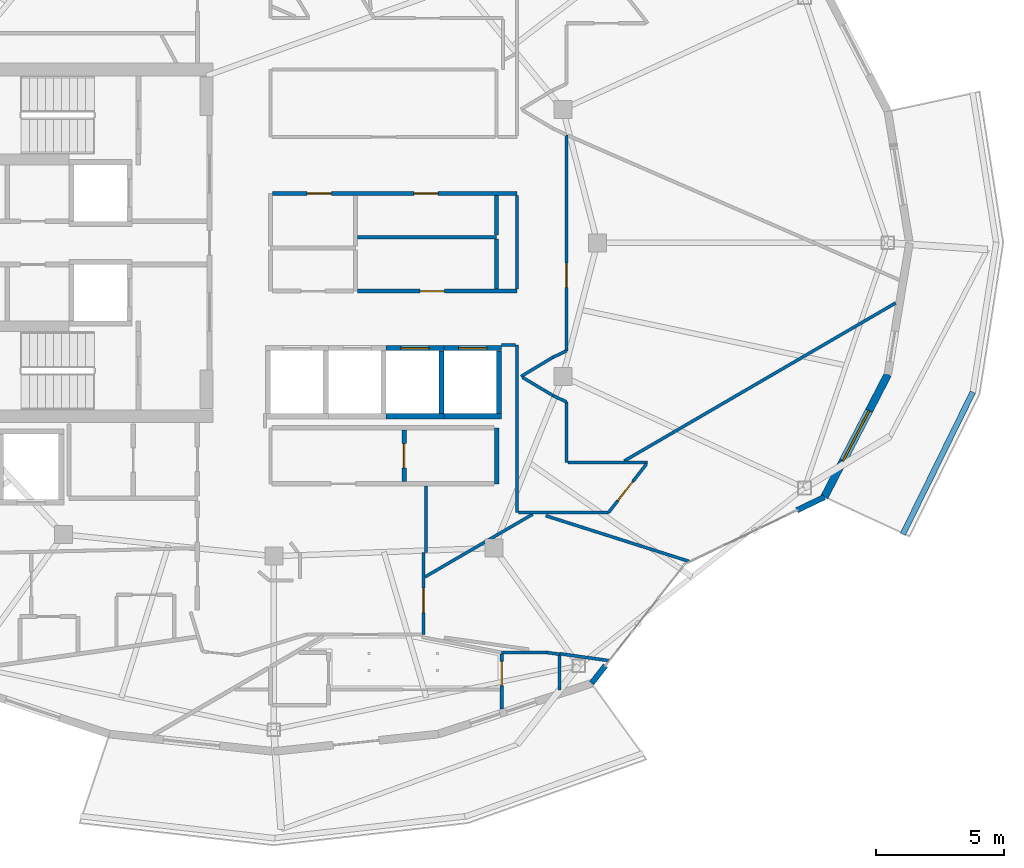
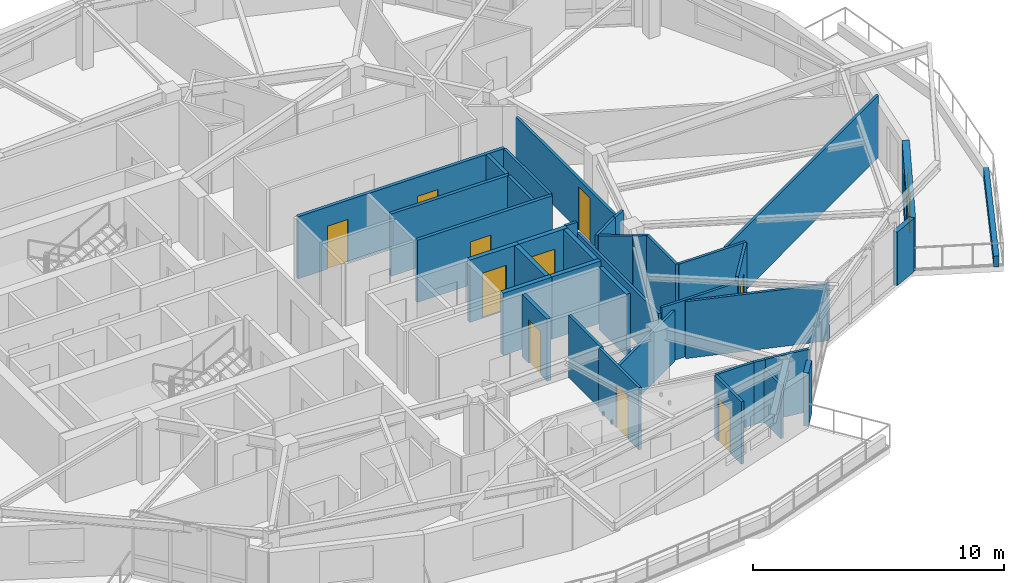
# One storey, part 11 of 21: 39 walls, 10 doors, 1 window, 11 openings.
"""IFC4 building model written with IfcOpenShell, lengths in metres."""

from ifc_helpers import new_model, si_unit, direction, frame, frame_2d, origin, place, context, subcontext, project, spatial, rectangle, extrude, material, layer, layer_set, type_object, element, fill, save


model = new_model("IFC4")

# Units and contexts
model_context = context("Model", 3, precision=1e-05, world=origin(), true_north=direction((0.0, 1.0)))
body_context = subcontext(model_context, "Body", "Model", "MODEL_VIEW")
ifc_project = project(units=[si_unit("LENGTHUNIT", "METRE"), si_unit("AREAUNIT", "SQUARE_METRE"), si_unit("VOLUMEUNIT", "CUBIC_METRE"), si_unit("PLANEANGLEUNIT", "RADIAN"), si_unit("MASSUNIT", "GRAM", prefix="KILO")], contexts=[model_context])

# Site, building, storey
site_placement = place(None, origin())
site = spatial("IfcSite", under=ifc_project, at=site_placement, CompositionType="ELEMENT")
building_placement = place(site_placement, origin())
building = spatial("IfcBuilding", under=site, at=building_placement, Name="Kolvaren Gate Tower and Convention Centre", CompositionType="ELEMENT")
storey_placement = place(building_placement, frame((0.0, 0.0, 226.10009765625)))
storey = spatial("IfcBuildingStorey", under=building, at=storey_placement, Name="L60", CompositionType="ELEMENT", Elevation=226.10009765625)

# Wall
ifc_material_1 = material(Name="Autoclaved Aerated Masonry Blockwork Class 4 (4.0 MPa)", Category="masonry")
ifc_layer_1 = layer(ifc_material_1, 0.179931640625)
ifc_layer_set_1 = layer_set([ifc_layer_1], Name="Autoclaved Aerated Masonry Blockwork Class 4 (4.0 MPa)")
wall_type_1 = type_object("IfcWallType", Name="ARCH-WL-COMP-180", PredefinedType="SOLIDWALL", material=ifc_layer_set_1)
wall_1_placement = place(storey_placement, frame((38.800048828125, 17.6201171875, 0.0), z_axis=(0.0, 0.0, 1.0), x_axis=(0.0, 1.0, 0.0)))
element("IfcWall", 1, at=wall_1_placement, inside=storey, type_object=wall_type_1, Name="Interior Partition WL-L60-INT-026", PredefinedType="SOLIDWALL", context=body_context, shape_type="SweptSolid", body=[
    extrude(rectangle(XDim=2.179931640625, YDim=0.179931640625, at=frame_2d((1.08984375, 0.0))), origin(), (0.0, 0.0, 1.0), 3.02978515625),
])

# Wall, opening, door
wall_2_placement = place(storey_placement, frame((35.199951171875, 17.7119140625, 0.0), z_axis=(0.0, 0.0, 1.0), x_axis=(0.0, 1.0, 0.0)))
wall_2 = element("IfcWall", 2, at=wall_2_placement, inside=storey, type_object=wall_type_1, Name="Interior Partition WL-L60-INT-033", PredefinedType="SOLIDWALL", context=body_context, shape_type="SweptSolid", body=[
    extrude(rectangle(XDim=1.99609375, YDim=0.179931640625, at=frame_2d((0.998046875, 0.0))), origin(), (0.0, 0.0, 1.0), 3.02978515625),
])
opening_1_placement = place(wall_2_placement, frame((0.52294921875, 0.0, 0.0)))
opening_1 = element("IfcOpeningElement", 3, at=opening_1_placement, cuts=wall_2, Name="Opening DR-01", PredefinedType="OPENING", context=body_context, shape_type="SweptSolid", body=[
    extrude(rectangle(XDim=0.949951171875, YDim=2.10009765625, at=frame_2d((0.47509765625, 1.050048828125))), frame((0.0, 0.099853515625, 0.0), z_axis=(0.0, -1.0, 0.0), x_axis=(1.0, 0.0, 0.0)), (0.0, 0.0, 1.0), 0.199951171875),
])
ifc_material_2 = material(Name="Painted Architectural Steelwork ASTM A500 Grade C 345 MPa", Category="steel")
door_type_1 = type_object("IfcDoorType", Name="ARCH-DR-RISER-950", OperationType="SINGLE_SWING_RIGHT", PredefinedType="DOOR", material=ifc_material_2)
door_1_placement = place(opening_1_placement, origin())
door_1 = element("IfcDoor", 4, at=door_1_placement, inside=storey, type_object=door_type_1, Name="Smart-Metering Room Door", OperationType="SINGLE_SWING_RIGHT", OverallHeight=2.10009765625, OverallWidth=0.949951171875, PredefinedType="DOOR", context=body_context, shape_type="SweptSolid", body=[
    extrude(rectangle(XDim=0.949951171875, YDim=2.10009765625, at=frame_2d((0.47509765625, 1.050048828125))), frame((0.0, 0.02490234375, 0.0), z_axis=(0.0, -1.0, 0.0), x_axis=(1.0, 0.0, 0.0)), (0.0, 0.0, 1.0), 0.050048828125),
])
fill(opening_1, door_1)

# Walls
ifc_material_3 = material(Name="Fire-Rated Acoustic Gypsum Stud Partition", Category="gypsum")
ifc_layer_2 = layer(ifc_material_3, 0.1201171875)
ifc_layer_set_2 = layer_set([ifc_layer_2], Name="Fire-Rated Acoustic Gypsum Stud Partition")
wall_type_2 = type_object("IfcWallType", Name="ARCH-WL-PART-120", PredefinedType="PARTITIONING", material=ifc_layer_set_2)
wall_3_placement = place(storey_placement, frame((39.60009765625, 16.5, 0.0), z_axis=(0.0, 0.0, 1.0), x_axis=(0.0, 1.0, 0.0)))
element("IfcWall", 5, at=wall_3_placement, inside=storey, type_object=wall_type_2, Name="Interior Partition WL-L60-INT-044", PredefinedType="PARTITIONING", context=body_context, shape_type="SweptSolid", body=[
    extrude(rectangle(XDim=6.52001953125, YDim=0.1201171875, at=frame_2d((3.260009765625, 0.0))), origin(), (0.0, 0.0, 1.0), 2.477783203125),
])
wall_4_placement = place(storey_placement, frame((39.60009765625, 25.197021484375, 0.0), z_axis=(0.0, 0.0, 1.0), x_axis=(0.0, 1.0, 0.0)))
element("IfcWall", 6, at=wall_4_placement, inside=storey, type_object=wall_type_2, Name="Interior Partition WL-L60-INT-045", PredefinedType="PARTITIONING", context=body_context, shape_type="SweptSolid", body=[
    extrude(rectangle(XDim=3.64599609375, YDim=0.1201171875, at=frame_2d((1.822998046875, 0.0))), origin(), (0.0, 0.0, 1.0), 3.02978515625),
])
wall_5_placement = place(storey_placement, frame((41.52001953125, 18.449951171875, 0.0), z_axis=(0.0, 0.0, 1.0), x_axis=(0.0, 1.0, 0.0)))
element("IfcWall", 7, at=wall_5_placement, inside=storey, type_object=wall_type_2, Name="Interior Partition WL-L60-INT-050", PredefinedType="PARTITIONING", context=body_context, shape_type="SweptSolid", body=[
    extrude(rectangle(XDim=2.35693359375, YDim=0.1201171875, at=frame_2d((1.178466796875, 0.0))), origin(), (0.0, 0.0, 1.0), 3.02978515625),
])

# Wall, opening, door
wall_6_placement = place(storey_placement, frame((41.52001953125, 22.7939453125, 0.0), z_axis=(0.0, 0.0, 1.0), x_axis=(0.0, 1.0, 0.0)))
wall_6 = element("IfcWall", 8, at=wall_6_placement, inside=storey, type_object=wall_type_2, Name="Interior Partition WL-L60-INT-051", PredefinedType="PARTITIONING", context=body_context, shape_type="SweptSolid", body=[
    extrude(rectangle(XDim=8.4130859375, YDim=0.1201171875, at=frame_2d((4.20654296875, 0.0))), origin(), (0.0, 0.0, 1.0), 2.477783203125),
])
opening_2_placement = place(wall_6_placement, frame((2.471435546875, 0.0, 0.0)))
opening_2 = element("IfcOpeningElement", 9, at=opening_2_placement, cuts=wall_6, Name="Opening DR-01", PredefinedType="OPENING", context=body_context, shape_type="SweptSolid", body=[
    extrude(rectangle(XDim=0.949951171875, YDim=2.10009765625, at=frame_2d((0.47509765625, 1.050048828125))), frame((0.0, 0.070068359375, 0.0), z_axis=(0.0, -1.0, 0.0), x_axis=(1.0, 0.0, 0.0)), (0.0, 0.0, 1.0), 0.14013671875),
])
door_2_placement = place(opening_2_placement, origin())
door_2 = element("IfcDoor", 10, at=door_2_placement, inside=storey, type_object=door_type_1, Name="Resident Quiet Study Office Door", OperationType="SINGLE_SWING_LEFT", OverallHeight=2.10009765625, OverallWidth=0.949951171875, PredefinedType="DOOR", context=body_context, shape_type="SweptSolid", body=[
    extrude(rectangle(XDim=0.949951171875, YDim=2.10009765625, at=frame_2d((0.47509765625, 1.050048828125))), frame((0.0, 0.02490234375, 0.0), z_axis=(0.0, -1.0, 0.0), x_axis=(1.0, 0.0, 0.0)), (0.0, 0.0, 1.0), 0.050048828125),
])
fill(opening_2, door_2)

# Walls
wall_7_placement = place(storey_placement, frame((40.986083984375, 22.541015625, 0.0), z_axis=(0.0, 0.0, 1.0), x_axis=(0.903729424576, 0.428104107847, 0.0)))
element("IfcWall", 11, at=wall_7_placement, inside=storey, type_object=wall_type_2, Name="Interior Partition WL-L60-INT-057", PredefinedType="PARTITIONING", context=body_context, shape_type="SweptSolid", body=[
    extrude(rectangle(XDim=0.5908203125, YDim=0.1201171875, at=frame_2d((0.29541015625, 0.0))), origin(), (0.0, 0.0, 1.0), 3.02978515625),
])
wall_8_placement = place(storey_placement, frame((39.75, 21.800048828125, 0.0), z_axis=(0.0, 0.0, 1.0), x_axis=(0.857702120906, 0.514146935996, 0.0)))
element("IfcWall", 12, at=wall_8_placement, inside=storey, type_object=wall_type_2, Name="Interior Partition WL-L60-INT-058", PredefinedType="PARTITIONING", context=body_context, shape_type="SweptSolid", body=[
    extrude(rectangle(XDim=1.441162109375, YDim=0.1201171875, at=frame_2d((0.720703125, 0.0))), origin(), (0.0, 0.0, 1.0), 3.02978515625),
])
wall_9_placement = place(storey_placement, frame((39.810302734375, 21.763916015625, 0.0), z_axis=(0.0, 0.0, 1.0), x_axis=(0.858011245414, -0.513630901273, 0.0)))
element("IfcWall", 13, at=wall_9_placement, inside=storey, type_object=wall_type_2, Name="Interior Partition WL-L60-INT-059", PredefinedType="PARTITIONING", context=body_context, shape_type="SweptSolid", body=[
    extrude(rectangle(XDim=1.370361328125, YDim=0.1201171875, at=frame_2d((0.68505859375, 0.0))), origin(), (0.0, 0.0, 1.0), 3.02978515625),
])
wall_10_placement = place(storey_placement, frame((40.986083984375, 21.06005859375, 0.0), z_axis=(0.0, 0.0, 1.0), x_axis=(0.90356951601, -0.428441512621, 0.0)))
element("IfcWall", 14, at=wall_10_placement, inside=storey, type_object=wall_type_2, Name="Interior Partition WL-L60-INT-060", PredefinedType="PARTITIONING", context=body_context, shape_type="SweptSolid", body=[
    extrude(rectangle(XDim=0.5908203125, YDim=0.1201171875, at=frame_2d((0.29541015625, 0.0))), origin(), (0.0, 0.0, 1.0), 3.02978515625),
])
wall_11_placement = place(storey_placement, frame((41.58203125, 18.449951171875, 0.0), z_axis=(0.0, 0.0, 1.0), x_axis=(1.0, 0.0, 0.0)))
element("IfcWall", 15, at=wall_11_placement, inside=storey, type_object=wall_type_2, Name="Interior Partition WL-L60-INT-061", PredefinedType="PARTITIONING", context=body_context, shape_type="SweptSolid", body=[
    extrude(rectangle(XDim=3.10205078125, YDim=0.1201171875, at=frame_2d((1.551025390625, 0.0))), origin(), (0.0, 0.0, 1.0), 3.02978515625),
])

# Wall, opening, door
wall_12_placement = place(storey_placement, frame((43.156982421875, 16.5, 0.0), z_axis=(0.0, 0.0, 1.0), x_axis=(0.616566276607, 0.787303008092, 0.0)))
wall_12 = element("IfcWall", 16, at=wall_12_placement, inside=storey, type_object=wall_type_2, Name="Interior Partition WL-L60-INT-062", PredefinedType="PARTITIONING", context=body_context, shape_type="SweptSolid", body=[
    extrude(rectangle(XDim=2.39794921875, YDim=0.1201171875, at=frame_2d((1.198974609375, 0.0))), origin(), (0.0, 0.0, 1.0), 3.02978515625),
])
opening_3_placement = place(wall_12_placement, frame((0.583984375, 0.0, 0.0)))
opening_3 = element("IfcOpeningElement", 17, at=opening_3_placement, cuts=wall_12, Name="Opening DR-01", PredefinedType="OPENING", context=body_context, shape_type="SweptSolid", body=[
    extrude(rectangle(XDim=0.949951171875, YDim=2.10009765625, at=frame_2d((0.47509765625, 1.050048828125))), frame((0.0, 0.070068359375, 0.0), z_axis=(0.0, -1.0, 0.0), x_axis=(1.0, 0.0, 0.0)), (0.0, 0.0, 1.0), 0.14013671875),
])
door_3_placement = place(opening_3_placement, origin())
door_3 = element("IfcDoor", 18, at=door_3_placement, inside=storey, type_object=door_type_1, Name="Resident Private Study Door", OperationType="SINGLE_SWING_RIGHT", OverallHeight=2.10009765625, OverallWidth=0.949951171875, PredefinedType="DOOR", context=body_context, shape_type="SweptSolid", body=[
    extrude(rectangle(XDim=0.949951171875, YDim=2.10009765625, at=frame_2d((0.47509765625, 1.050048828125))), frame((0.0, 0.02490234375, 0.0), z_axis=(0.0, -1.0, 0.0), x_axis=(1.0, 0.0, 0.0)), (0.0, 0.0, 1.0), 0.050048828125),
])
fill(opening_3, door_3)

# Walls
wall_13_placement = place(storey_placement, frame((39.662109375, 16.5, 0.0), z_axis=(0.0, 0.0, 1.0), x_axis=(1.0, 0.0, 0.0)))
element("IfcWall", 19, at=wall_13_placement, inside=storey, type_object=wall_type_2, Name="Interior Partition WL-L60-INT-063", PredefinedType="PARTITIONING", context=body_context, shape_type="SweptSolid", body=[
    extrude(rectangle(XDim=3.494873046875, YDim=0.1201171875, at=frame_2d((1.74755859375, 0.0))), origin(), (0.0, 0.0, 1.0), 2.77001953125),
])
wall_14_placement = place(storey_placement, frame((39.0, 23.02001953125, 0.0), z_axis=(0.0, 0.0, 1.0), x_axis=(1.0, 0.0, 0.0)))
element("IfcWall", 20, at=wall_14_placement, inside=storey, type_object=wall_type_2, Name="Interior Partition WL-L60-INT-064", PredefinedType="PARTITIONING", context=body_context, shape_type="SweptSolid", body=[
    extrude(rectangle(XDim=0.5380859375, YDim=0.1201171875, at=frame_2d((0.26904296875, 0.0))), origin(), (0.0, 0.0, 1.0), 3.02978515625),
])
wall_15_placement = place(storey_placement, frame((36.050048828125, 14.949951171875, 0.0), z_axis=(0.0, 0.0, 1.0), x_axis=(0.0, 1.0, 0.0)))
element("IfcWall", 21, at=wall_15_placement, inside=storey, type_object=wall_type_2, Name="Interior Partition WL-L60-INT-066", PredefinedType="PARTITIONING", context=body_context, shape_type="SweptSolid", body=[
    extrude(rectangle(XDim=2.578125, YDim=0.1201171875, at=frame_2d((1.2890625, 0.0))), origin(), (0.0, 0.0, 1.0), 3.02978515625),
])

# Wall, opening, door
wall_16_placement = place(storey_placement, frame((35.949951171875, 11.75, 0.0), z_axis=(0.0, 0.0, 1.0), x_axis=(0.0, 1.0, 0.0)))
wall_16 = element("IfcWall", 22, at=wall_16_placement, inside=storey, type_object=wall_type_2, Name="Interior Partition WL-L60-INT-067", PredefinedType="PARTITIONING", context=body_context, shape_type="SweptSolid", body=[
    extrude(rectangle(XDim=3.199951171875, YDim=0.1201171875, at=frame_2d((1.60009765625, 0.0))), origin(), (0.0, 0.0, 1.0), 3.02978515625),
])
opening_4_placement = place(wall_16_placement, frame((0.852783203125, 0.0, 0.0)))
opening_4 = element("IfcOpeningElement", 23, at=opening_4_placement, cuts=wall_16, Name="Opening DR-01", PredefinedType="OPENING", context=body_context, shape_type="SweptSolid", body=[
    extrude(rectangle(XDim=0.949951171875, YDim=2.10009765625, at=frame_2d((0.47509765625, 1.050048828125))), frame((0.0, 0.070068359375, 0.0), z_axis=(0.0, -1.0, 0.0), x_axis=(1.0, 0.0, 0.0)), (0.0, 0.0, 1.0), 0.14013671875),
])
door_4_placement = place(opening_4_placement, origin())
door_4 = element("IfcDoor", 24, at=door_4_placement, inside=storey, type_object=door_type_1, Name="Resident Committee Meeting Room Door", OperationType="SINGLE_SWING_LEFT", OverallHeight=2.10009765625, OverallWidth=0.949951171875, PredefinedType="DOOR", context=body_context, shape_type="SweptSolid", body=[
    extrude(rectangle(XDim=0.949951171875, YDim=2.10009765625, at=frame_2d((0.47509765625, 1.050048828125))), frame((0.0, 0.02490234375, 0.0), z_axis=(0.0, -1.0, 0.0), x_axis=(1.0, 0.0, 0.0)), (0.0, 0.0, 1.0), 0.050048828125),
])
fill(opening_4, door_4)

# Walls
wall_17_placement = place(storey_placement, frame((36.011962890625, 13.994873046875, 0.0), z_axis=(0.0, 0.0, 1.0), x_axis=(0.864278013608, 0.503014428415, 0.0)))
element("IfcWall", 25, at=wall_17_placement, inside=storey, type_object=wall_type_2, Name="Interior Partition WL-L60-INT-086", PredefinedType="PARTITIONING", context=body_context, shape_type="SweptSolid", body=[
    extrude(rectangle(XDim=4.85693359375, YDim=0.1201171875, at=frame_2d((2.428466796875, 0.0))), origin(), (0.0, 0.0, 1.0), 2.477783203125),
])
wall_18_placement = place(storey_placement, frame((43.77294921875, 18.511962890625, 0.0), z_axis=(0.0, 0.0, 1.0), x_axis=(0.864261022419, 0.503043621495, 0.0)))
element("IfcWall", 26, at=wall_18_placement, inside=storey, type_object=wall_type_2, Name="Interior Partition WL-L60-INT-087", PredefinedType="PARTITIONING", context=body_context, shape_type="SweptSolid", body=[
    extrude(rectangle(XDim=12.221923828125, YDim=0.1201171875, at=frame_2d((6.11083984375, 0.0))), origin(), (0.0, 0.0, 1.0), 3.02978515625),
])
wall_19_placement = place(storey_placement, frame((39.0, 11.050048828125, 0.0), z_axis=(0.0, 0.0, 1.0), x_axis=(1.0, 0.0, 0.0)))
element("IfcWall", 27, at=wall_19_placement, inside=storey, type_object=wall_type_2, Name="Interior Partition WL-L60-INT-090", PredefinedType="PARTITIONING", context=body_context, shape_type="SweptSolid", body=[
    extrude(rectangle(XDim=1.75390625, YDim=0.1201171875, at=frame_2d((0.876953125, 0.0))), origin(), (0.0, 0.0, 1.0), 3.02978515625),
])

# Wall, opening, door
wall_20_placement = place(storey_placement, frame((39.0, 8.85302734375, 0.0), z_axis=(0.0, 0.0, 1.0), x_axis=(0.0, 1.0, 0.0)))
wall_20 = element("IfcWall", 28, at=wall_20_placement, inside=storey, type_object=wall_type_2, Name="Interior Partition WL-L60-INT-092", PredefinedType="PARTITIONING", context=body_context, shape_type="SweptSolid", body=[
    extrude(rectangle(XDim=2.135009765625, YDim=0.1201171875, at=frame_2d((1.0673828125, 0.0))), origin(), (0.0, 0.0, 1.0), 3.02978515625),
])
opening_5_placement = place(wall_20_placement, frame((0.903564453125, 0.0, 0.0)))
opening_5 = element("IfcOpeningElement", 29, at=opening_5_placement, cuts=wall_20, Name="Opening DI-01", PredefinedType="OPENING", context=body_context, shape_type="SweptSolid", body=[
    extrude(rectangle(XDim=0.949951171875, YDim=2.10009765625, at=frame_2d((0.47509765625, 1.050048828125))), frame((0.0, 0.070068359375, 0.0), z_axis=(0.0, -1.0, 0.0), x_axis=(1.0, 0.0, 0.0)), (0.0, 0.0, 1.0), 0.14013671875),
])
ifc_material_4 = material(Name="FSC Andean Oak Engineered Veneer Door Leaf", Category="wood")
door_type_2 = type_object("IfcDoorType", Name="ARCH-DR-INT-950", OperationType="SINGLE_SWING_LEFT", PredefinedType="DOOR", material=ifc_material_4)
door_5_placement = place(opening_5_placement, origin())
door_5 = element("IfcDoor", 30, at=door_5_placement, inside=storey, type_object=door_type_2, Name="Apartment Fitted Kitchen (APT-L60-02) Door", OperationType="SINGLE_SWING_RIGHT", OverallHeight=2.10009765625, OverallWidth=0.949951171875, PredefinedType="DOOR", context=body_context, shape_type="SweptSolid", body=[
    extrude(rectangle(XDim=0.949951171875, YDim=2.10009765625, at=frame_2d((0.47509765625, 1.050048828125))), frame((0.0, 0.02490234375, 0.0), z_axis=(0.0, -1.0, 0.0), x_axis=(1.0, 0.0, 0.0)), (0.0, 0.0, 1.0), 0.050048828125),
])
fill(opening_5, door_5)

# Walls
wall_21_placement = place(storey_placement, frame((40.75390625, 11.050048828125, 0.0), z_axis=(0.0, 0.0, 1.0), x_axis=(0.991540443372, -0.129798109221, 0.0)))
element("IfcWall", 31, at=wall_21_placement, inside=storey, type_object=wall_type_2, Name="Interior Partition WL-L60-INT-095", PredefinedType="PARTITIONING", context=body_context, shape_type="SweptSolid", body=[
    extrude(rectangle(XDim=0.500244140625, YDim=0.1201171875, at=frame_2d((0.25, 0.0))), origin(), (0.0, 0.0, 1.0), 3.02978515625),
])
wall_22_placement = place(storey_placement, frame((41.25, 9.5986328125, 0.0), z_axis=(0.0, 0.0, 1.0), x_axis=(0.0, 1.0, 0.0)))
element("IfcWall", 32, at=wall_22_placement, inside=storey, type_object=wall_type_2, Name="Interior Partition WL-L60-INT-096", PredefinedType="PARTITIONING", context=body_context, shape_type="SweptSolid", body=[
    extrude(rectangle(XDim=1.386474609375, YDim=0.1201171875, at=frame_2d((0.693359375, 0.0))), origin(), (0.0, 0.0, 1.0), 2.602294921875),
])
wall_23_placement = place(storey_placement, frame((40.709228515625, 16.3779296875, 0.0), z_axis=(0.0, 0.0, 1.0), x_axis=(0.952839371161, -0.303475094144, 0.0)))
element("IfcWall", 33, at=wall_23_placement, inside=storey, type_object=wall_type_2, Name="Interior Partition WL-L60-INT-098", PredefinedType="PARTITIONING", context=body_context, shape_type="SweptSolid", body=[
    extrude(rectangle(XDim=5.865478515625, YDim=0.1201171875, at=frame_2d((2.9326171875, 0.0))), origin(), (0.0, 0.0, 1.0), 2.77001953125),
])
wall_24_placement = place(storey_placement, frame((41.25244140625, 11.00439453125, 0.0), z_axis=(0.0, 0.0, 1.0), x_axis=(0.990256033276, -0.139258710893, 0.0)))
element("IfcWall", 34, at=wall_24_placement, inside=storey, type_object=wall_type_2, Name="Interior Partition WL-L60-INT-099 (2)", PredefinedType="PARTITIONING", context=body_context, shape_type="SweptSolid", body=[
    extrude(rectangle(XDim=1.928466796875, YDim=0.1201171875, at=frame_2d((0.96435546875, 0.0))), origin(), (0.0, 0.0, 1.0), 3.02978515625),
])
ifc_material_5 = material(Name="Bogota Sabana Bush-Hammered Sandstone Cladding", Category="masonry")
ifc_layer_3 = layer(ifc_material_5, 0.219970703125)
ifc_layer_set_3 = layer_set([ifc_layer_3], Name="Bogota Sabana Bush-Hammered Sandstone Cladding")
wall_type_3 = type_object("IfcWallType", Name="ARCH-WL-PIER-220", PredefinedType="SOLIDWALL", material=ifc_layer_set_3)
wall_25_placement = place(storey_placement, frame((42.5, 9.852783203125, 0.0), z_axis=(0.0, 0.0, 1.0), x_axis=(0.61650363284, 0.787352062736, 0.0)))
element("IfcWall", 35, at=wall_25_placement, inside=storey, type_object=wall_type_3, Name="Tower L60 Unitised Curtain Wall CW-RES-UNIT Bay 20 Left Column Pier Wrap", PredefinedType="SOLIDWALL", context=body_context, shape_type="SweptSolid", body=[
    extrude(rectangle(XDim=0.8759765625, YDim=0.219970703125, at=frame_2d((0.43798828125, 0.0))), origin(), (0.0, 0.0, 1.0), 2.60498046875),
])
wall_26_placement = place(storey_placement, frame((50.494140625, 16.58837890625, 0.0), z_axis=(0.0, 0.0, 1.0), x_axis=(0.901342408365, 0.433107218692, 0.0)))
element("IfcWall", 36, at=wall_26_placement, inside=storey, type_object=wall_type_3, Name="Tower L60 Unitised Curtain Wall CW-RES-UNIT Bay 21 Right Column Pier Wrap", PredefinedType="SOLIDWALL", context=body_context, shape_type="SweptSolid", body=[
    extrude(rectangle(XDim=1.181396484375, YDim=0.219970703125, at=frame_2d((0.5908203125, 0.0))), origin(), (0.0, 0.0, 1.0), 2.60498046875),
])
ifc_material_6 = material(Name="Piedmont Cream Honed Limestone Cladding", Category="masonry")
ifc_layer_4 = layer(ifc_material_6, 0.219970703125)
ifc_layer_set_4 = layer_set([ifc_layer_4], Name="Piedmont Cream Honed Limestone Cladding")
wall_type_4 = type_object("IfcWallType", Name="ARCH-WL-PLANTER-220", PredefinedType="PARAPET", material=ifc_layer_set_4)
wall_27_placement = place(storey_placement, frame((54.615966796875, 15.6533203125, 0.0), z_axis=(0.0, 0.0, 1.0), x_axis=(0.441640961804, 0.897191875162, 0.0)))
element("IfcWall", 37, at=wall_27_placement, inside=storey, type_object=wall_type_4, Name="Vertical-Forest Balcony Stone Planter Kerb PK-L60-4.1", PredefinedType="PARAPET", context=body_context, shape_type="SweptSolid", body=[
    extrude(rectangle(XDim=6.17822265625, YDim=0.219970703125, at=frame_2d((3.089111328125, 0.0))), origin(), (0.0, 0.0, 1.0), 0.52001953125),
])

# Wall, opening, door
ifc_layer_5 = layer(ifc_material_1, 0.199951171875)
ifc_layer_set_5 = layer_set([ifc_layer_5], Name="Autoclaved Aerated Masonry Blockwork Class 4 (4.0 MPa)")
wall_type_5 = type_object("IfcWallType", Name="ARCH-WL-SHAFT-200", PredefinedType="SOLIDWALL", material=ifc_layer_set_5)
wall_28_placement = place(storey_placement, frame((34.5, 22.89990234375, 0.0), z_axis=(0.0, 0.0, 1.0), x_axis=(1.0, 0.0, 0.0)))
wall_28 = element("IfcWall", 38, at=wall_28_placement, inside=storey, type_object=wall_type_5, Name="Elevator PL-11 L60 Fire Shaft Wall N", PredefinedType="SOLIDWALL", context=body_context, shape_type="SweptSolid", body=[
    extrude(rectangle(XDim=2.25, YDim=0.199951171875, at=frame_2d((1.125, 0.0))), origin(), (0.0, 0.0, 1.0), 3.02978515625),
])
opening_6_placement = place(wall_28_placement, frame((0.574951171875, 0.0, 0.0)))
opening_6 = element("IfcOpeningElement", 39, at=opening_6_placement, cuts=wall_28, Name="Opening LD", PredefinedType="OPENING", context=body_context, shape_type="SweptSolid", body=[
    extrude(rectangle(XDim=1.10009765625, YDim=2.199951171875, at=frame_2d((0.550048828125, 1.10009765625))), frame((0.0, 0.10986328125, 0.0), z_axis=(0.0, -1.0, 0.0), x_axis=(1.0, 0.0, 0.0)), (0.0, 0.0, 1.0), 0.219970703125),
])
ifc_material_7 = material(Name="Brushed Stainless Steel Grade 316L", Category="steel")
door_type_3 = type_object("IfcDoorType", Name="ARCH-DR-LIFT-1100", OperationType="SLIDING_TO_LEFT", PredefinedType="DOOR", material=ifc_material_7)
door_6_placement = place(opening_6_placement, origin())
door_6 = element("IfcDoor", 40, at=door_6_placement, inside=storey, type_object=door_type_3, Name="Elevator PL-11 L60 Sliding Landing Door", OperationType="SLIDING_TO_LEFT", OverallHeight=2.199951171875, OverallWidth=1.10009765625, PredefinedType="DOOR", context=body_context, shape_type="SweptSolid", body=[
    extrude(rectangle(XDim=1.10009765625, YDim=2.199951171875, at=frame_2d((0.550048828125, 1.10009765625))), frame((0.0, 0.02490234375, 0.0), z_axis=(0.0, -1.0, 0.0), x_axis=(1.0, 0.0, 0.0)), (0.0, 0.0, 1.0), 0.050048828125),
])
fill(opening_6, door_6)

# Walls
wall_29_placement = place(storey_placement, frame((34.5, 20.25, 0.0), z_axis=(0.0, 0.0, 1.0), x_axis=(1.0, 0.0, 0.0)))
element("IfcWall", 41, at=wall_29_placement, inside=storey, type_object=wall_type_5, Name="Elevator PL-11 L60 Fire Shaft Wall S", PredefinedType="SOLIDWALL", context=body_context, shape_type="SweptSolid", body=[
    extrude(rectangle(XDim=2.25, YDim=0.199951171875, at=frame_2d((1.125, 0.0))), origin(), (0.0, 0.0, 1.0), 3.02978515625),
])
wall_30_placement = place(storey_placement, frame((36.64990234375, 20.360107421875, 0.0), z_axis=(0.0, 0.0, 1.0), x_axis=(0.0, 1.0, 0.0)))
element("IfcWall", 42, at=wall_30_placement, inside=storey, type_object=wall_type_5, Name="Elevator PL-11 L60 Fire Shaft Wall E", PredefinedType="SOLIDWALL", context=body_context, shape_type="SweptSolid", body=[
    extrude(rectangle(XDim=2.429931640625, YDim=0.199951171875, at=frame_2d((1.21484375, 0.0))), origin(), (0.0, 0.0, 1.0), 3.02978515625),
])

# Wall, opening, door
wall_31_placement = place(storey_placement, frame((36.75, 22.89990234375, 0.0), z_axis=(0.0, 0.0, 1.0), x_axis=(1.0, 0.0, 0.0)))
wall_31 = element("IfcWall", 43, at=wall_31_placement, inside=storey, type_object=wall_type_5, Name="Elevator PL-12 L60 Fire Shaft Wall N", PredefinedType="SOLIDWALL", context=body_context, shape_type="SweptSolid", body=[
    extrude(rectangle(XDim=2.25, YDim=0.199951171875, at=frame_2d((1.125, 0.0))), origin(), (0.0, 0.0, 1.0), 3.02978515625),
])
opening_7_placement = place(wall_31_placement, frame((0.574951171875, 0.0, 0.0)))
opening_7 = element("IfcOpeningElement", 44, at=opening_7_placement, cuts=wall_31, Name="Opening LD", PredefinedType="OPENING", context=body_context, shape_type="SweptSolid", body=[
    extrude(rectangle(XDim=1.10009765625, YDim=2.199951171875, at=frame_2d((0.550048828125, 1.10009765625))), frame((0.0, 0.10986328125, 0.0), z_axis=(0.0, -1.0, 0.0), x_axis=(1.0, 0.0, 0.0)), (0.0, 0.0, 1.0), 0.219970703125),
])
door_7_placement = place(opening_7_placement, origin())
door_7 = element("IfcDoor", 45, at=door_7_placement, inside=storey, type_object=door_type_3, Name="Elevator PL-12 L60 Sliding Landing Door", OperationType="SLIDING_TO_LEFT", OverallHeight=2.199951171875, OverallWidth=1.10009765625, PredefinedType="DOOR", context=body_context, shape_type="SweptSolid", body=[
    extrude(rectangle(XDim=1.10009765625, YDim=2.199951171875, at=frame_2d((0.550048828125, 1.10009765625))), frame((0.0, 0.02490234375, 0.0), z_axis=(0.0, -1.0, 0.0), x_axis=(1.0, 0.0, 0.0)), (0.0, 0.0, 1.0), 0.050048828125),
])
fill(opening_7, door_7)

# Walls
wall_32_placement = place(storey_placement, frame((36.75, 20.25, 0.0), z_axis=(0.0, 0.0, 1.0), x_axis=(1.0, 0.0, 0.0)))
element("IfcWall", 46, at=wall_32_placement, inside=storey, type_object=wall_type_5, Name="Elevator PL-12 L60 Fire Shaft Wall S", PredefinedType="SOLIDWALL", context=body_context, shape_type="SweptSolid", body=[
    extrude(rectangle(XDim=2.25, YDim=0.199951171875, at=frame_2d((1.125, 0.0))), origin(), (0.0, 0.0, 1.0), 3.02978515625),
])
wall_33_placement = place(storey_placement, frame((38.89990234375, 20.360107421875, 0.0), z_axis=(0.0, 0.0, 1.0), x_axis=(0.0, 1.0, 0.0)))
element("IfcWall", 47, at=wall_33_placement, inside=storey, type_object=wall_type_5, Name="Elevator PL-12 L60 Fire Shaft Wall E", PredefinedType="SOLIDWALL", context=body_context, shape_type="SweptSolid", body=[
    extrude(rectangle(XDim=2.429931640625, YDim=0.199951171875, at=frame_2d((1.21484375, 0.0))), origin(), (0.0, 0.0, 1.0), 3.02978515625),
])

# Wall, opening, window
ifc_layer_6 = layer(ifc_material_6, 0.300048828125)
ifc_layer_set_6 = layer_set([ifc_layer_6], Name="Piedmont Cream Honed Limestone Cladding")
wall_type_6 = type_object("IfcWallType", Name="ARCH-WL-STONE-300", PredefinedType="SOLIDWALL", material=ifc_layer_set_6)
wall_34_placement = place(storey_placement, frame((51.55908203125, 17.10009765625, 0.0), z_axis=(0.0, 0.0, 1.0), x_axis=(0.459808219482, 0.888018243786, 0.0)))
wall_34 = element("IfcWall", 48, at=wall_34_placement, inside=storey, type_object=wall_type_6, Name="Tower L60 Honed Stone Spandrel Wall EW-22", PredefinedType="SOLIDWALL", context=body_context, shape_type="SweptSolid", body=[
    extrude(rectangle(XDim=5.377685546875, YDim=0.300048828125, at=frame_2d((2.68896484375, 0.0))), origin(), (0.0, 0.0, 1.0), 2.60498046875),
])
opening_8_placement = place(wall_34_placement, frame((1.589111328125, 0.0, 0.719970703125)))
opening_8 = element("IfcOpeningElement", 49, at=opening_8_placement, cuts=wall_34, Name="Opening W-03", PredefinedType="OPENING", context=body_context, shape_type="SweptSolid", body=[
    extrude(rectangle(XDim=2.199951171875, YDim=1.64990234375, at=frame_2d((1.10009765625, 0.824951171875))), frame((0.0, 0.159912109375, 0.0), z_axis=(0.0, -1.0, 0.0), x_axis=(1.0, 0.0, 0.0)), (0.0, 0.0, 1.0), 0.320068359375),
])
ifc_material_8 = material(Name="Low-E Triple Insulated Glazing Unit 44 mm", Category="glass")
window_type = type_object("IfcWindowType", Name="ARCH-WN-RES-2200", PartitioningType="SINGLE_PANEL", PredefinedType="WINDOW", material=ifc_material_8)
window_placement = place(opening_8_placement, origin())
window = element("IfcWindow", 50, at=window_placement, inside=storey, type_object=window_type, Name="Tower L60 Punched Stone Facade Window W-22", OverallHeight=1.64990234375, OverallWidth=2.199951171875, PartitioningType="SINGLE_PANEL", PredefinedType="WINDOW", context=body_context, shape_type="SweptSolid", body=[
    extrude(rectangle(XDim=2.199951171875, YDim=1.64990234375, at=frame_2d((1.10009765625, 0.824951171875))), frame((0.0, 0.030029296875, 0.0), z_axis=(0.0, -1.0, 0.0), x_axis=(1.0, 0.0, 0.0)), (0.0, 0.0, 1.0), 0.06005859375),
])
fill(opening_8, window)

# Wall, openings, doors
ifc_material_9 = material(Name="Moisture-Resistant Cement-Board Acoustic Partition", Category="gypsum")
ifc_layer_7 = layer(ifc_material_9, 0.14990234375)
ifc_layer_set_7 = layer_set([ifc_layer_7], Name="Moisture-Resistant Cement-Board Acoustic Partition")
wall_type_7 = type_object("IfcWallType", Name="ARCH-WL-WET-150", PredefinedType="PARTITIONING", material=ifc_layer_set_7)
wall_35_placement = place(storey_placement, frame((30.076904296875, 28.919921875, 0.0), z_axis=(0.0, 0.0, 1.0), x_axis=(1.0, 0.0, 0.0)))
wall_35 = element("IfcWall", 51, at=wall_35_placement, inside=storey, type_object=wall_type_7, Name="Interior Partition WL-L60-INT-022", PredefinedType="PARTITIONING", context=body_context, shape_type="SweptSolid", body=[
    extrude(rectangle(XDim=9.523193359375, YDim=0.14990234375, at=frame_2d((4.76171875, 0.0))), origin(), (0.0, 0.0, 1.0), 3.02978515625),
])
opening_9_placement = place(wall_35_placement, frame((1.341552734375, 0.0, 0.0)))
opening_9 = element("IfcOpeningElement", 52, at=opening_9_placement, cuts=wall_35, Name="Opening DR-01", PredefinedType="OPENING", context=body_context, shape_type="SweptSolid", body=[
    extrude(rectangle(XDim=0.949951171875, YDim=2.10009765625, at=frame_2d((0.47509765625, 1.050048828125))), frame((0.0, 0.0849609375, 0.0), z_axis=(0.0, -1.0, 0.0), x_axis=(1.0, 0.0, 0.0)), (0.0, 0.0, 1.0), 0.169921875),
])
opening_10_placement = place(wall_35_placement, frame((5.498046875, 0.0, 0.0)))
opening_10 = element("IfcOpeningElement", 53, at=opening_10_placement, cuts=wall_35, Name="Opening DR-01", PredefinedType="OPENING", context=body_context, shape_type="SweptSolid", body=[
    extrude(rectangle(XDim=0.949951171875, YDim=2.10009765625, at=frame_2d((0.47509765625, 1.050048828125))), frame((0.0, 0.0849609375, 0.0), z_axis=(0.0, -1.0, 0.0), x_axis=(1.0, 0.0, 0.0)), (0.0, 0.0, 1.0), 0.169921875),
])
door_8_placement = place(opening_9_placement, origin())
door_8 = element("IfcDoor", 54, at=door_8_placement, inside=storey, type_object=door_type_1, Name="Accessible North Washroom Door", OperationType="SINGLE_SWING_LEFT", OverallHeight=2.10009765625, OverallWidth=0.949951171875, PredefinedType="DOOR", context=body_context, shape_type="SweptSolid", body=[
    extrude(rectangle(XDim=0.949951171875, YDim=2.10009765625, at=frame_2d((0.47509765625, 1.050048828125))), frame((0.0, 0.02490234375, 0.0), z_axis=(0.0, -1.0, 0.0), x_axis=(1.0, 0.0, 0.0)), (0.0, 0.0, 1.0), 0.050048828125),
])
fill(opening_9, door_8)
door_9_placement = place(opening_10_placement, origin())
door_9 = element("IfcDoor", 55, at=door_9_placement, inside=storey, type_object=door_type_1, Name="Floor Janitor and Supply Store Door", OperationType="SINGLE_SWING_LEFT", OverallHeight=2.10009765625, OverallWidth=0.949951171875, PredefinedType="DOOR", context=body_context, shape_type="SweptSolid", body=[
    extrude(rectangle(XDim=0.949951171875, YDim=2.10009765625, at=frame_2d((0.47509765625, 1.050048828125))), frame((0.0, 0.02490234375, 0.0), z_axis=(0.0, -1.0, 0.0), x_axis=(1.0, 0.0, 0.0)), (0.0, 0.0, 1.0), 0.050048828125),
])
fill(opening_10, door_9)

# Wall, opening, door
wall_36_placement = place(storey_placement, frame((33.376953125, 25.1201171875, 0.0), z_axis=(0.0, 0.0, 1.0), x_axis=(1.0, 0.0, 0.0)))
wall_36 = element("IfcWall", 56, at=wall_36_placement, inside=storey, type_object=wall_type_7, Name="Interior Partition WL-L60-INT-024 (2)", PredefinedType="PARTITIONING", context=body_context, shape_type="SweptSolid", body=[
    extrude(rectangle(XDim=6.22314453125, YDim=0.14990234375, at=frame_2d((3.111572265625, 0.0))), origin(), (0.0, 0.0, 1.0), 3.02978515625),
])
opening_11_placement = place(wall_36_placement, frame((2.44140625, 0.0, 0.0)))
opening_11 = element("IfcOpeningElement", 57, at=opening_11_placement, cuts=wall_36, Name="Opening DR-01", PredefinedType="OPENING", context=body_context, shape_type="SweptSolid", body=[
    extrude(rectangle(XDim=0.949951171875, YDim=2.10009765625, at=frame_2d((0.47509765625, 1.050048828125))), frame((0.0, 0.0849609375, 0.0), z_axis=(0.0, -1.0, 0.0), x_axis=(1.0, 0.0, 0.0)), (0.0, 0.0, 1.0), 0.169921875),
])
door_10_placement = place(opening_11_placement, origin())
door_10 = element("IfcDoor", 58, at=door_10_placement, inside=storey, type_object=door_type_1, Name="Floor Coffee Pantry Door", OperationType="SINGLE_SWING_RIGHT", OverallHeight=2.10009765625, OverallWidth=0.949951171875, PredefinedType="DOOR", context=body_context, shape_type="SweptSolid", body=[
    extrude(rectangle(XDim=0.949951171875, YDim=2.10009765625, at=frame_2d((0.47509765625, 1.050048828125))), frame((0.0, 0.02490234375, 0.0), z_axis=(0.0, -1.0, 0.0), x_axis=(1.0, 0.0, 0.0)), (0.0, 0.0, 1.0), 0.050048828125),
])
fill(opening_11, door_10)

# Walls
wall_37_placement = place(storey_placement, frame((33.376953125, 27.219970703125, 0.0), z_axis=(0.0, 0.0, 1.0), x_axis=(1.0, 0.0, 0.0)))
element("IfcWall", 59, at=wall_37_placement, inside=storey, type_object=wall_type_7, Name="Interior Partition WL-L60-INT-025", PredefinedType="PARTITIONING", context=body_context, shape_type="SweptSolid", body=[
    extrude(rectangle(XDim=5.423095703125, YDim=0.14990234375, at=frame_2d((2.71142578125, 0.0))), origin(), (0.0, 0.0, 1.0), 3.02978515625),
])
wall_38_placement = place(storey_placement, frame((38.800048828125, 25.197021484375, 0.0), z_axis=(0.0, 0.0, 1.0), x_axis=(0.0, 1.0, 0.0)))
element("IfcWall", 60, at=wall_38_placement, inside=storey, type_object=wall_type_7, Name="Interior Partition WL-L60-INT-027", PredefinedType="PARTITIONING", context=body_context, shape_type="SweptSolid", body=[
    extrude(rectangle(XDim=1.946044921875, YDim=0.14990234375, at=frame_2d((0.97314453125, 0.0))), origin(), (0.0, 0.0, 1.0), 3.02978515625),
])
wall_39_placement = place(storey_placement, frame((38.800048828125, 27.297119140625, 0.0), z_axis=(0.0, 0.0, 1.0), x_axis=(0.0, 1.0, 0.0)))
element("IfcWall", 61, at=wall_39_placement, inside=storey, type_object=wall_type_7, Name="Interior Partition WL-L60-INT-027 (2)", PredefinedType="PARTITIONING", context=body_context, shape_type="SweptSolid", body=[
    extrude(rectangle(XDim=1.5458984375, YDim=0.14990234375, at=frame_2d((0.77294921875, 0.0))), origin(), (0.0, 0.0, 1.0), 3.02978515625),
])

save(model, "model.ifc")
